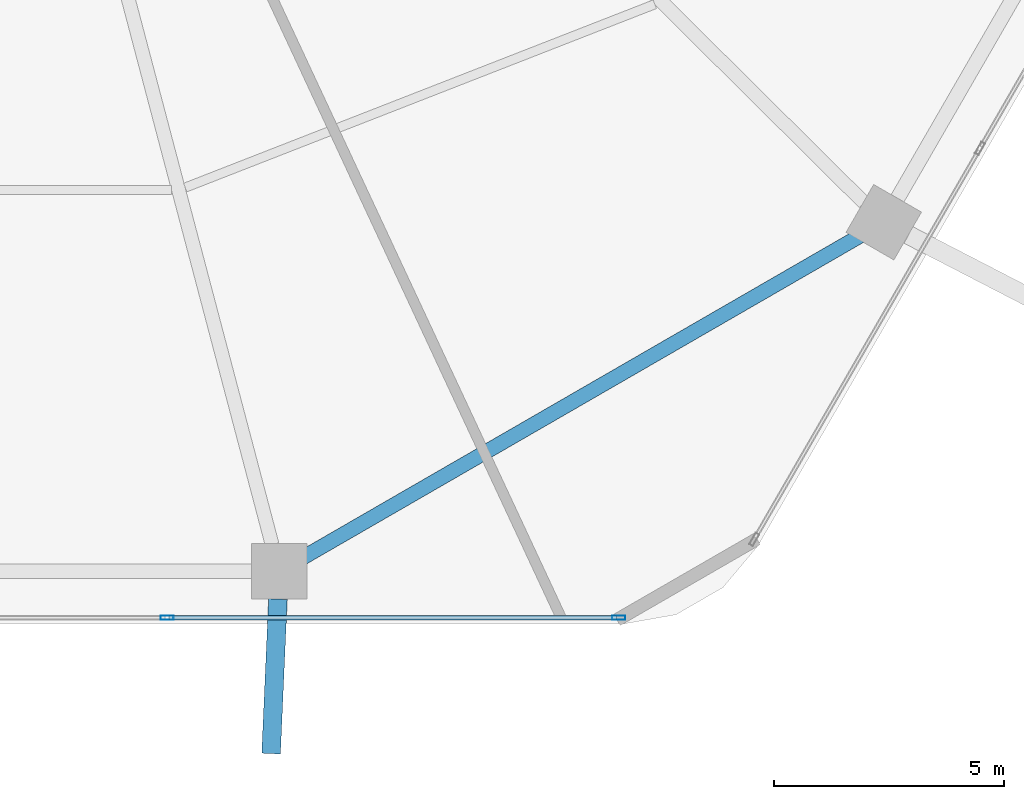
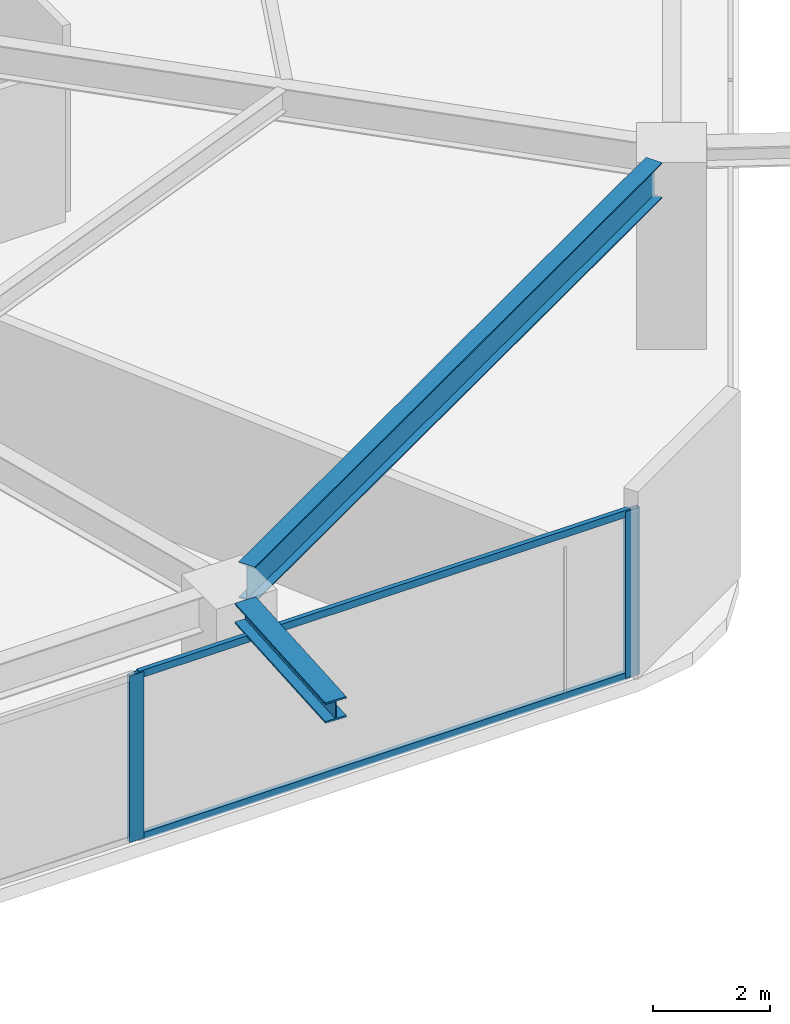
# One storey, part 7 of 25: 4 members, 2 beams, 1 element without a shape of its own.
"""IFC4 building model written with IfcOpenShell, lengths in metres."""

import ifcopenshell
import ifcopenshell.guid

model = None  # the IFC model being written
_history = None  # IfcOwnerHistory: only IFC2X3 demands one
_inside = {}  # id of a spatial element -> (the spatial element, [elements in it])
_under = {}  # id of a project, library or spatial element -> (it, [spatial elements below it])
_declared = {}  # id of a project -> (the project, [libraries it declares])
_typed = {}  # id of a type object -> (the type object, [elements of that type])
_made_of = {}  # id of a material, layer set ... -> (it, [elements and type objects made of it])


def new_model(schema):
    """Start an empty IFC model of exactly this schema.

    Asked for "IFC4X3", IfcOpenShell would pick the latest addendum, in which some entities
    have other attributes; the version numbers below select the first issue.
    IFC2X3 requires an IfcOwnerHistory on every rooted entity: one is made here for all.
    """
    global model, _history
    if schema == "IFC4X3":
        model = ifcopenshell.file(schema_version=(4, 3, 0, 0))
    else:
        model = ifcopenshell.file(schema=schema)
    _inside.clear()
    _under.clear()
    _declared.clear()
    _typed.clear()
    _made_of.clear()
    _history = None
    if model.schema == "IFC2X3":
        org = make("IfcOrganization", Name="unknown")
        user = make(
            "IfcPersonAndOrganization",
            ThePerson=make("IfcPerson", FamilyName="unknown"),
            TheOrganization=org,
        )
        app = make(
            "IfcApplication",
            ApplicationDeveloper=org,
            Version="unknown",
            ApplicationFullName="unknown",
            ApplicationIdentifier="unknown",
        )
        _history = make(
            "IfcOwnerHistory",
            OwningUser=user,
            OwningApplication=app,
            ChangeAction="ADDED",
            CreationDate=0,
        )
    return model


def make(cls, **values):
    """One entity of the class cls with the attributes given. An attribute that is None is left unset."""
    return model.create_entity(
        cls, **{name: value for name, value in values.items() if value is not None}
    )


def rooted(cls, **values):
    """An entity with a GlobalId (a new one), such as an element, a storey or a relation."""
    return make(cls, GlobalId=ifcopenshell.guid.new(), OwnerHistory=_history, **values)


def si_unit(unit_type, name, prefix=None):
    """IfcSIUnit, for example si_unit("LENGTHUNIT", "METRE", prefix="MILLI")."""
    return make("IfcSIUnit", UnitType=unit_type, Prefix=prefix, Name=name)


def assignment(units):
    """IfcUnitAssignment: the units of a project."""
    return None if units is None else make("IfcUnitAssignment", Units=units)


def point(xyz):
    """IfcCartesianPoint."""
    return None if xyz is None else make("IfcCartesianPoint", Coordinates=xyz)


def direction(xyz):
    """IfcDirection."""
    return None if xyz is None else make("IfcDirection", DirectionRatios=xyz)


def frame(location, z_axis=None, x_axis=None):
    """IfcAxis2Placement3D, a coordinate frame: its origin and axes. An axis left out is left unset."""
    return make(
        "IfcAxis2Placement3D",
        Location=point(location),
        Axis=direction(z_axis),
        RefDirection=direction(x_axis),
    )


def frame_2d(location, x_axis=None):
    """IfcAxis2Placement2D, a coordinate frame in the plane: its origin and x axis."""
    return make(
        "IfcAxis2Placement2D", Location=point(location), RefDirection=direction(x_axis)
    )


def origin():
    """The frame at (0, 0, 0) with its axes left unset."""
    return frame((0.0, 0.0, 0.0))


def origin_2d():
    """The frame at (0, 0) in the plane with its x axis left unset."""
    return frame_2d((0.0, 0.0))


def place(relative_to, where):
    """IfcLocalPlacement: puts the frame where relative to a parent placement (None: the world)."""
    return make(
        "IfcLocalPlacement", PlacementRelTo=relative_to, RelativePlacement=where
    )


def context(
    kind, dimensions, precision=None, world=None, true_north=None, identifier=None
):
    """IfcGeometricRepresentationContext, for example the 3D "Model" context."""
    return make(
        "IfcGeometricRepresentationContext",
        ContextIdentifier=identifier,
        ContextType=kind,
        CoordinateSpaceDimension=dimensions,
        Precision=precision,
        WorldCoordinateSystem=world,
        TrueNorth=true_north,
    )


def subcontext(parent, identifier, kind, view, scale=None):
    """IfcGeometricRepresentationSubContext, for example "Body" below "Model"."""
    return make(
        "IfcGeometricRepresentationSubContext",
        ContextIdentifier=identifier,
        ContextType=kind,
        ParentContext=parent,
        TargetScale=scale,
        TargetView=view,
    )


def project(units=None, contexts=None):
    """IfcProject with its units and contexts."""
    return rooted(
        "IfcProject",
        Name="project",
        RepresentationContexts=contexts,
        UnitsInContext=assignment(units),
    )


def spatial(cls, under=None, at=None, **own):
    """A site, building, storey or space (cls), placed at a placement, below another one or the project."""
    s = rooted(cls, ObjectPlacement=at, **own)
    if under is not None:
        _under.setdefault(under.id(), (under, []))[1].append(s)
    return s


def profile(cls, at=None, kind="AREA", **sizes):
    """A parametric profile (cls). Its sizes go by their IFC names, for example OverallWidth=200.0."""
    return make(cls, ProfileType=kind, Position=at, **sizes)


def hollow_rectangle(**sizes):
    """IfcRectangleHollowProfileDef."""
    return profile("IfcRectangleHollowProfileDef", **sizes)


def i_section(**sizes):
    """IfcIShapeProfileDef."""
    return profile("IfcIShapeProfileDef", **sizes)


def extrude(swept, where, along, depth):
    """IfcExtrudedAreaSolid: the profile swept, set in the frame where, extruded along a direction by depth."""
    return make(
        "IfcExtrudedAreaSolid",
        SweptArea=swept,
        Position=where,
        ExtrudedDirection=direction(along),
        Depth=depth,
    )


def shape(context_of_items, identifier, shape_type, items):
    """IfcShapeRepresentation: the items that make up one representation, for example the "Body"."""
    return make(
        "IfcShapeRepresentation",
        ContextOfItems=context_of_items,
        RepresentationIdentifier=identifier,
        RepresentationType=shape_type,
        Items=items,
    )


def material(Name=None, Category=None):
    """IfcMaterial."""
    return make("IfcMaterial", Name=Name, Category=Category)


def material_profile(
    of_material, cross_section, Name=None, Category=None, Priority=None
):
    """IfcMaterialProfile: a cross section and its material."""
    return make(
        "IfcMaterialProfile",
        Name=Name,
        Material=of_material,
        Profile=cross_section,
        Priority=Priority,
        Category=Category,
    )


def profile_set(profiles, Name=None, composite=None):
    """IfcMaterialProfileSet."""
    return make(
        "IfcMaterialProfileSet",
        Name=Name,
        MaterialProfiles=profiles,
        CompositeProfile=composite,
    )


def made_of(thing, what):
    """Note that an element or type object is made of a material, layer set ...; save() writes the relation."""
    if what is not None:
        _made_of.setdefault(what.id(), (what, []))[1].append(thing)
    return thing


def type_object(cls, material=None, **own):
    """A type object (cls), such as IfcWallType, which elements share."""
    return made_of(rooted(cls, **own), material)


def element(
    cls,
    number,
    at=None,
    inside=None,
    cuts=None,
    type_object=None,
    material=None,
    context=None,
    identifier="Body",
    shape_type=None,
    held_by="IfcProductDefinitionShape",
    body=None,
    shapes=None,
    **own,
):
    """One element of the class cls, such as IfcWall. Its Tag is "e" and its number.

    at: its placement. inside: the storey or other place that contains it. cuts: it is an
    opening in that element (IfcRelVoidsElement). A single representation is given by context,
    identifier, shape_type and body (its items); several are given by shapes. held_by: the class
    of the entity that holds the representations. save() writes the other relations.
    """
    e = rooted(cls, Tag="e%d" % number, ObjectPlacement=at, **own)
    if body is not None:
        shapes = [shape(context, identifier, shape_type, body)]
    if shapes is not None:
        e.Representation = make(held_by, Representations=shapes)
    if inside is not None:
        _inside.setdefault(inside.id(), (inside, []))[1].append(e)
    if cuts is not None:
        rooted(
            "IfcRelVoidsElement", RelatingBuildingElement=cuts, RelatedOpeningElement=e
        )
    if type_object is not None:
        _typed.setdefault(type_object.id(), (type_object, []))[1].append(e)
    return made_of(e, material)


def aggregate(whole, parts):
    """IfcRelAggregates: a whole, such as a stair, and the parts it consists of."""
    return rooted("IfcRelAggregates", RelatingObject=whole, RelatedObjects=parts)


def save(model, path):
    """Write the relations noted so far, then the file.

    IfcRelAggregates (storeys below a building ...), IfcRelContainedInSpatialStructure (elements
    in a storey), IfcRelDefinesByType, IfcRelAssociatesMaterial and IfcRelDeclares: one each for
    every whole, place, type object, material and project.
    """
    for whole, parts in _under.values():
        aggregate(whole, parts)
    for where, things in _inside.values():
        rooted(
            "IfcRelContainedInSpatialStructure",
            RelatedElements=things,
            RelatingStructure=where,
        )
    for kind, things in _typed.values():
        rooted("IfcRelDefinesByType", RelatedObjects=things, RelatingType=kind)
    for what, things in _made_of.values():
        rooted("IfcRelAssociatesMaterial", RelatedObjects=things, RelatingMaterial=what)
    for by, libraries in _declared.values():
        rooted("IfcRelDeclares", RelatingContext=by, RelatedDefinitions=libraries)
    model.write(path)


model = new_model("IFC4")

# Units and contexts
model_context = context("Model", 3, precision=1e-05, world=origin(), true_north=direction((0.0, 1.0)))
body_context = subcontext(model_context, "Body", "Model", "MODEL_VIEW")
ifc_project = project(units=[si_unit("LENGTHUNIT", "METRE"), si_unit("AREAUNIT", "SQUARE_METRE"), si_unit("VOLUMEUNIT", "CUBIC_METRE"), si_unit("PLANEANGLEUNIT", "RADIAN"), si_unit("MASSUNIT", "GRAM", prefix="KILO")], contexts=[model_context])

# Site, building, storey
site_placement = place(None, origin())
site = spatial("IfcSite", under=ifc_project, at=site_placement, CompositionType="ELEMENT")
building_placement = place(site_placement, origin())
building = spatial("IfcBuilding", under=site, at=building_placement, Name="Zuhravey Tower", CompositionType="ELEMENT")
storey_placement = place(building_placement, frame((0.0, 0.0, 62.39990234375)))
storey = spatial("IfcBuildingStorey", under=building, at=storey_placement, Name="L15", CompositionType="ELEMENT", Elevation=62.39990234375)

# Curtain wall, members
ifc_material_1 = material(Name="Thermally broken anodised aluminium", Category="aluminium")
curtain_wall_type = type_object("IfcCurtainWallType", Name="School Low-E Unitised Curtain Wall CW1", PredefinedType="NOTDEFINED", material=ifc_material_1)
curtain_wall_placement = place(storey_placement, origin())
curtain_wall = element("IfcCurtainWall", 1, at=curtain_wall_placement, inside=storey, type_object=curtain_wall_type, Name="L15 CW1 CW-L15-F5-1", PredefinedType="NOTDEFINED")
ifc_material_2 = material(Name="Anodised aluminium", Category="aluminium")
ifc_material_profile_1 = material_profile(ifc_material_2, hollow_rectangle(XDim=0.090087890625, YDim=0.284912109375, WallThickness=0.0048828125, at=origin_2d()), Name="ALU-RHS-90x285x5")
ifc_profile_set_1 = profile_set([ifc_material_profile_1], Name="Anodised aluminium")
member_type_1 = type_object("IfcMemberType", Name="Curtain-Wall Mullion 90x180", PredefinedType="MULLION", material=ifc_profile_set_1)
member_1_placement = place(storey_placement, frame((50.75439453125, 3.04150390625, 0.0), z_axis=(0.0, 0.0, 1.0), x_axis=(0.0, -1.0, 0.0)))
member_1 = element("IfcMember", 2, at=member_1_placement, type_object=member_type_1, Name="CW1 mullion 1", PredefinedType="MULLION", context=body_context, shape_type="SweptSolid", body=[
    extrude(hollow_rectangle(XDim=0.090087890625, YDim=0.284912109375, WallThickness=0.0048828125, at=origin_2d()), origin(), (0.0, 0.0, 1.0), 3.4921875),
])
member_2_placement = place(storey_placement, frame((40.93310546875, 3.04150390625, 0.0), z_axis=(0.0, 0.0, 1.0), x_axis=(0.0, -1.0, 0.0)))
member_2 = element("IfcMember", 3, at=member_2_placement, type_object=member_type_1, Name="CW1 mullion 2", PredefinedType="MULLION", context=body_context, shape_type="SweptSolid", body=[
    extrude(hollow_rectangle(XDim=0.090087890625, YDim=0.284912109375, WallThickness=0.0048828125, at=origin_2d()), origin(), (0.0, 0.0, 1.0), 3.4921875),
])
ifc_material_profile_2 = material_profile(ifc_material_2, hollow_rectangle(XDim=0.090087890625, YDim=0.14990234375, WallThickness=0.0048828125, at=origin_2d()), Name="ALU-RHS-90x150x5")
ifc_profile_set_2 = profile_set([ifc_material_profile_2], Name="Anodised aluminium")
member_type_2 = type_object("IfcMemberType", Name="Curtain-Wall Transom 90x150", PredefinedType="USERDEFINED", material=ifc_profile_set_2)
member_3_placement = place(storey_placement, frame((50.70947265625, 3.04150390625, 0.045166015625), z_axis=(-1.0, 0.0, 0.0), x_axis=(0.0, -1.0, 0.0)))
member_3 = element("IfcMember", 4, at=member_3_placement, type_object=member_type_2, Name="CW1 transom 1.1", ObjectType="TRANSOM", PredefinedType="USERDEFINED", context=body_context, shape_type="SweptSolid", body=[
    extrude(hollow_rectangle(XDim=0.090087890625, YDim=0.14990234375, WallThickness=0.0048828125, at=origin_2d()), origin(), (0.0, 0.0, 1.0), 9.731201171875),
])
member_4_placement = place(storey_placement, frame((50.70947265625, 3.04150390625, 3.447021484375), z_axis=(-1.0, 0.0, 0.0), x_axis=(0.0, -1.0, 0.0)))
member_4 = element("IfcMember", 5, at=member_4_placement, type_object=member_type_2, Name="CW1 transom 1.2", ObjectType="TRANSOM", PredefinedType="USERDEFINED", context=body_context, shape_type="SweptSolid", body=[
    extrude(hollow_rectangle(XDim=0.090087890625, YDim=0.14990234375, WallThickness=0.0048828125, at=origin_2d()), origin(), (0.0, 0.0, 1.0), 9.731201171875),
])
aggregate(curtain_wall, [member_1, member_2, member_3, member_4])

# Beams
ifc_material_3 = material(Name="Steel SM460", Category="steel")
ifc_material_profile_3 = material_profile(ifc_material_3, i_section(OverallWidth=0.406982421875, OverallDepth=0.427978515625, WebThickness=0.02001953125, FlangeThickness=0.034912109375, at=origin_2d()), Name="H-428x407x20x35")
ifc_profile_set_3 = profile_set([ifc_material_profile_3], Name="Steel SM460")
beam_type_1 = type_object("IfcBeamType", Name="Exoskeleton Node Tie Beam H428x407", PredefinedType="BEAM", material=ifc_profile_set_3)
beam_1_placement = place(storey_placement, frame((43.34326171875, 3.447509765625, 3.7060546875), z_axis=(-0.044192998795, -0.999023012176, 0.0), x_axis=(0.999023012176, -0.044192998795, 0.0)))
element("IfcBeam", 6, at=beam_1_placement, inside=storey, type_object=beam_type_1, Name="L15 Exoskeleton Node Tie NT1-10", PredefinedType="BEAM", context=body_context, shape_type="SweptSolid", body=[
    extrude(i_section(OverallWidth=0.406982421875, OverallDepth=0.427978515625, WebThickness=0.02001953125, FlangeThickness=0.034912109375, at=origin_2d()), origin(), (0.0, 0.0, 1.0), 3.3642578125),
])
ifc_material_4 = material(Name="Steel SM355", Category="steel")
ifc_material_profile_4 = material_profile(ifc_material_4, i_section(OverallWidth=0.320068359375, OverallDepth=0.75, WebThickness=0.013916015625, FlangeThickness=0.02490234375, at=origin_2d()), Name="H-750x320x14x25")
ifc_profile_set_4 = profile_set([ifc_material_profile_4], Name="Steel SM355")
beam_type_2 = type_object("IfcBeamType", Name="Perimeter Ring Beam H750x320", PredefinedType="BEAM", material=ifc_profile_set_4)
beam_2_placement = place(storey_placement, frame((43.89208984375, 4.35302734375, 3.545166015625), z_axis=(0.866029969761, 0.499992091414, 0.0), x_axis=(-0.499992091414, 0.866029969761, 0.0)))
element("IfcBeam", 7, at=beam_2_placement, inside=storey, type_object=beam_type_2, Name="L15 PB1 BM-L15-PB-10", PredefinedType="BEAM", context=body_context, shape_type="SweptSolid", body=[
    extrude(i_section(OverallWidth=0.320068359375, OverallDepth=0.75, WebThickness=0.013916015625, FlangeThickness=0.02490234375, at=origin_2d()), origin(), (0.0, 0.0, 1.0), 13.977294921875),
])

save(model, "model.ifc")
